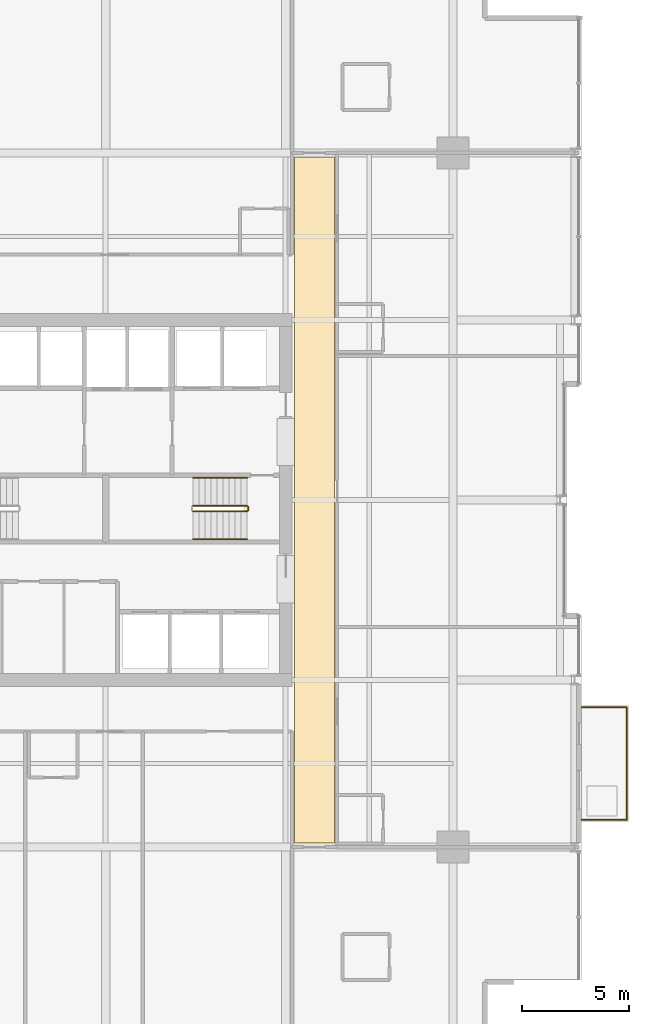
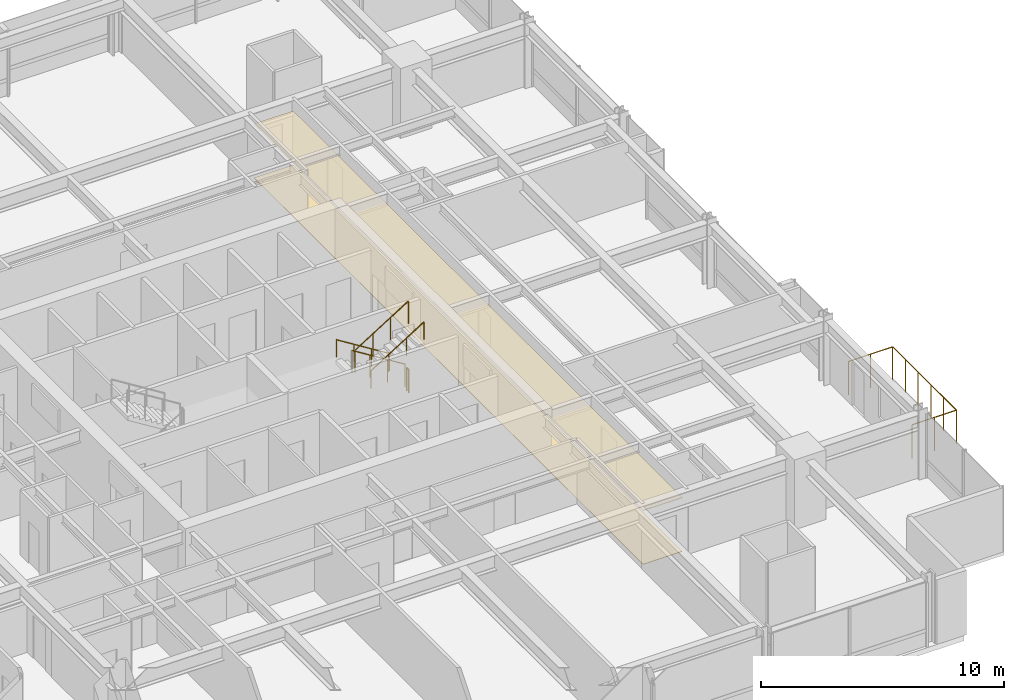
# One storey, part 33 of 34: 6 railings, 2 coverings.
"""IFC4 building model written with IfcOpenShell, lengths in metres."""

from ifc_helpers import new_model, si_unit, direction, frame, origin, origin_2d, place, context, subcontext, project, spatial, polyline, circle, outline, extrude, material, layer, layer_set, type_object, element, save


model = new_model("IFC4")

# Units and contexts
model_context = context("Model", 3, precision=1e-05, world=origin(), true_north=direction((0.0, 1.0)))
body_context = subcontext(model_context, "Body", "Model", "MODEL_VIEW")
ifc_project = project(units=[si_unit("LENGTHUNIT", "METRE"), si_unit("AREAUNIT", "SQUARE_METRE"), si_unit("VOLUMEUNIT", "CUBIC_METRE"), si_unit("PLANEANGLEUNIT", "RADIAN"), si_unit("MASSUNIT", "GRAM", prefix="KILO")], contexts=[model_context])

# Site, building, storey
site_placement = place(None, origin())
site = spatial("IfcSite", under=ifc_project, at=site_placement, CompositionType="ELEMENT")
building_placement = place(site_placement, origin())
building = spatial("IfcBuilding", under=site, at=building_placement, Name="Drelvath Grand Hotel", CompositionType="ELEMENT")
storey_placement = place(building_placement, frame((0.0, 0.0, 112.800048828125)))
storey = spatial("IfcBuildingStorey", under=building, at=storey_placement, Name="L28", CompositionType="ELEMENT", Elevation=112.800048828125)

# Railings
ifc_material_1 = material(Name="Painted Steel S275", Category="steel")
railing_type_1 = type_object("IfcRailingType", Name="Core Stair Wall Handrail 900", PredefinedType="HANDRAIL", material=ifc_material_1)
railing_1_placement = place(storey_placement, frame((6.60009765625, 28.030029296875, 0.175048828125)))
element("IfcRailing", 1, at=railing_1_placement, inside=storey, type_object=railing_type_1, Name="L28 ST-2 stair handrail 1", PredefinedType="HANDRAIL", context=body_context, shape_type="SweptSolid", body=[
    extrude(circle(Radius=0.02392578125, at=origin_2d()), frame((0.0, 0.0, 0.8759765625), z_axis=(-0.848007534815, 0.0, 0.529984170421), x_axis=(0.0, -1.0, 0.0)), (0.0, 0.0, 1.0), 2.9716796875),
    extrude(circle(Radius=0.02099609375, at=origin_2d()), origin(), (0.0, 0.0, 1.0), 0.851806640625),
    extrude(circle(Radius=0.02099609375, at=origin_2d()), frame((-0.840087890625, 0.0, 0.52490234375)), (0.0, 0.0, 1.0), 0.851806640625),
    extrude(circle(Radius=0.02099609375, at=origin_2d()), frame((-1.679931640625, 0.0, 1.050048828125)), (0.0, 0.0, 1.0), 0.851806640625),
    extrude(circle(Radius=0.02099609375, at=origin_2d()), frame((-2.52001953125, 0.0, 1.574951171875)), (0.0, 0.0, 1.0), 0.851806640625),
])
railing_2_placement = place(storey_placement, frame((4.080078125, 25.169921875, 1.925048828125)))
element("IfcRailing", 2, at=railing_2_placement, inside=storey, type_object=railing_type_1, Name="L28 ST-2 stair handrail 2", PredefinedType="HANDRAIL", context=body_context, shape_type="SweptSolid", body=[
    extrude(circle(Radius=0.02392578125, at=origin_2d()), frame((0.0, 0.0, 0.8759765625), z_axis=(0.848007534815, 0.0, 0.529984170421), x_axis=(0.0, 1.0, 0.0)), (0.0, 0.0, 1.0), 2.9716796875),
    extrude(circle(Radius=0.02099609375, at=origin_2d()), origin(), (0.0, 0.0, 1.0), 0.851806640625),
    extrude(circle(Radius=0.02099609375, at=origin_2d()), frame((0.840087890625, 0.0, 0.52490234375)), (0.0, 0.0, 1.0), 0.851806640625),
    extrude(circle(Radius=0.02099609375, at=origin_2d()), frame((1.679931640625, 0.0, 1.050048828125)), (0.0, 0.0, 1.0), 0.851806640625),
    extrude(circle(Radius=0.02099609375, at=origin_2d()), frame((2.52001953125, 0.0, 1.574951171875)), (0.0, 0.0, 1.0), 0.851806640625),
])
railing_type_2 = type_object("IfcRailingType", Name="Core Stair Well Guardrail 1100", PredefinedType="GUARDRAIL", material=ifc_material_1)
railing_3_placement = place(storey_placement, frame((6.60009765625, 26.72998046875, 0.175048828125)))
element("IfcRailing", 3, at=railing_3_placement, inside=storey, type_object=railing_type_2, Name="L28 ST-2 stair guard 1", PredefinedType="GUARDRAIL", context=body_context, shape_type="SweptSolid", body=[
    extrude(circle(Radius=0.02392578125, at=origin_2d()), frame((0.0, 0.0, 1.1259765625), z_axis=(-0.848007534815, 0.0, 0.529984170421), x_axis=(0.0, -1.0, 0.0)), (0.0, 0.0, 1.0), 2.9716796875),
    extrude(circle(Radius=0.02099609375, at=origin_2d()), origin(), (0.0, 0.0, 1.0), 1.101806640625),
    extrude(circle(Radius=0.02099609375, at=origin_2d()), frame((-0.840087890625, 0.0, 0.52490234375)), (0.0, 0.0, 1.0), 1.101806640625),
    extrude(circle(Radius=0.02099609375, at=origin_2d()), frame((-1.679931640625, 0.0, 1.050048828125)), (0.0, 0.0, 1.0), 1.101806640625),
    extrude(circle(Radius=0.02099609375, at=origin_2d()), frame((-2.52001953125, 0.0, 1.574951171875)), (0.0, 0.0, 1.0), 1.101806640625),
])
railing_4_placement = place(storey_placement, frame((4.080078125, 26.469970703125, 1.925048828125)))
element("IfcRailing", 4, at=railing_4_placement, inside=storey, type_object=railing_type_2, Name="L28 ST-2 stair guard 3", PredefinedType="GUARDRAIL", context=body_context, shape_type="SweptSolid", body=[
    extrude(circle(Radius=0.02392578125, at=origin_2d()), frame((0.0, 0.0, 1.1259765625), z_axis=(0.848007534815, 0.0, 0.529984170421), x_axis=(0.0, 1.0, 0.0)), (0.0, 0.0, 1.0), 2.9716796875),
    extrude(circle(Radius=0.02099609375, at=origin_2d()), origin(), (0.0, 0.0, 1.0), 1.101806640625),
    extrude(circle(Radius=0.02099609375, at=origin_2d()), frame((0.840087890625, 0.0, 0.52490234375)), (0.0, 0.0, 1.0), 1.101806640625),
    extrude(circle(Radius=0.02099609375, at=origin_2d()), frame((1.679931640625, 0.0, 1.050048828125)), (0.0, 0.0, 1.0), 1.101806640625),
    extrude(circle(Radius=0.02099609375, at=origin_2d()), frame((2.52001953125, 0.0, 1.574951171875)), (0.0, 0.0, 1.0), 1.101806640625),
])
railing_5_placement = place(storey_placement, frame((6.64990234375, 26.679931640625, 0.0)))
element("IfcRailing", 5, at=railing_5_placement, inside=storey, type_object=railing_type_2, Name="L28 ST-2 stair guard 4", PredefinedType="GUARDRAIL", context=body_context, shape_type="SweptSolid", body=[
    extrude(circle(Radius=0.02392578125, at=origin_2d()), frame((0.0, 0.0, 1.1259765625), z_axis=(0.0, -1.0, 0.0), x_axis=(1.0, 0.0, 0.0)), (0.0, 0.0, 1.0), 0.159912109375),
    extrude(circle(Radius=0.02099609375, at=origin_2d()), origin(), (0.0, 0.0, 1.0), 1.101806640625),
    extrude(circle(Radius=0.02099609375, at=origin_2d()), frame((0.0, -0.159912109375, 0.0)), (0.0, 0.0, 1.0), 1.101806640625),
])

# Coverings
ifc_material_2 = material(Name="Woven Wool Broadloom Carpet")
ifc_layer_1 = layer(ifc_material_2, 0.01806640625)
ifc_layer_set_1 = layer_set([ifc_layer_1], Name="Woven Wool Broadloom Carpet")
covering_type_1 = type_object("IfcCoveringType", Name="Hospitality Broadloom Carpet 18", PredefinedType="FLOORING", material=ifc_layer_set_1)
covering_1_placement = place(storey_placement, origin())
element("IfcCovering", 6, at=covering_1_placement, inside=storey, type_object=covering_type_1, Name="L28 East Spine Carpet", PredefinedType="FLOORING", context=body_context, shape_type="SweptSolid", body=[
    extrude(outline(polyline([(10.679931640625, 11.0), (10.679931640625, 43.0), (8.820068359375, 43.0), (8.820068359375, 11.0), (10.679931640625, 11.0)])), origin(), (0.0, 0.0, 1.0), 0.01806640625),
])
ifc_material_3 = material(Name="Anodised Aluminium Alloy", Category="aluminium")
ifc_layer_2 = layer(ifc_material_3, 0.0400390625)
ifc_layer_set_2 = layer_set([ifc_layer_2], Name="Anodised Aluminium Alloy")
covering_type_2 = type_object("IfcCoveringType", Name="Perforated Metal Corridor Ceiling 40", PredefinedType="CEILING", material=ifc_layer_set_2)
covering_2_placement = place(storey_placement, frame((0.0, 0.0, 2.68994140625)))
element("IfcCovering", 7, at=covering_2_placement, inside=storey, type_object=covering_type_2, Name="L28 East Spine Ceiling", PredefinedType="CEILING", context=body_context, shape_type="SweptSolid", body=[
    extrude(outline(polyline([(10.679931640625, 11.0), (10.679931640625, 43.0), (8.820068359375, 43.0), (8.820068359375, 11.0), (10.679931640625, 11.0)])), origin(), (0.0, 0.0, 1.0), 0.0400390625),
])

# Railing
ifc_material_4 = material(Name="Anodised Aluminium and Laminated Glass Balustrade", Category="aluminium")
railing_type_3 = type_object("IfcRailingType", Name="Raised Planter Edge Balustrade 1700", PredefinedType="BALUSTRADE", material=ifc_material_4)
railing_6_placement = place(storey_placement, frame((22.219970703125, 12.080078125, 0.0)))
element("IfcRailing", 8, at=railing_6_placement, inside=storey, type_object=railing_type_3, Name="L28 Tree Balcony Perimeter Balustrade 1", PredefinedType="BALUSTRADE", context=body_context, shape_type="SweptSolid", body=[
    extrude(circle(Radius=0.02392578125, at=origin_2d()), frame((0.0, 0.0, 1.67578125), z_axis=(1.0, 0.0, 0.0), x_axis=(0.0, 1.0, 0.0)), (0.0, 0.0, 1.0), 2.10009765625),
    extrude(circle(Radius=0.02392578125, at=origin_2d()), frame((2.10009765625, 0.0, 1.67578125), z_axis=(0.0, 1.0, 0.0), x_axis=(-1.0, 0.0, 0.0)), (0.0, 0.0, 1.0), 5.239990234375),
    extrude(circle(Radius=0.02392578125, at=origin_2d()), frame((2.10009765625, 5.239990234375, 1.67578125), z_axis=(-1.0, 0.0, 0.0), x_axis=(0.0, -1.0, 0.0)), (0.0, 0.0, 1.0), 2.10009765625),
    extrude(circle(Radius=0.02099609375, at=origin_2d()), origin(), (0.0, 0.0, 1.0), 1.65185546875),
    extrude(circle(Radius=0.02099609375, at=origin_2d()), frame((1.050048828125, 0.0, 0.0)), (0.0, 0.0, 1.0), 1.65185546875),
    extrude(circle(Radius=0.02099609375, at=origin_2d()), frame((2.10009765625, 0.0, 0.0)), (0.0, 0.0, 1.0), 1.65185546875),
    extrude(circle(Radius=0.02099609375, at=origin_2d()), frame((2.10009765625, 1.048095703125, 0.0)), (0.0, 0.0, 1.0), 1.65185546875),
    extrude(circle(Radius=0.02099609375, at=origin_2d()), frame((2.10009765625, 2.095947265625, 0.0)), (0.0, 0.0, 1.0), 1.65185546875),
    extrude(circle(Radius=0.02099609375, at=origin_2d()), frame((2.10009765625, 3.14404296875, 0.0)), (0.0, 0.0, 1.0), 1.65185546875),
    extrude(circle(Radius=0.02099609375, at=origin_2d()), frame((2.10009765625, 4.19189453125, 0.0)), (0.0, 0.0, 1.0), 1.65185546875),
    extrude(circle(Radius=0.02099609375, at=origin_2d()), frame((2.10009765625, 5.239990234375, 0.0)), (0.0, 0.0, 1.0), 1.65185546875),
    extrude(circle(Radius=0.02099609375, at=origin_2d()), frame((1.050048828125, 5.239990234375, 0.0)), (0.0, 0.0, 1.0), 1.65185546875),
    extrude(circle(Radius=0.02099609375, at=origin_2d()), frame((0.0, 5.239990234375, 0.0)), (0.0, 0.0, 1.0), 1.65185546875),
])

save(model, "model.ifc")
